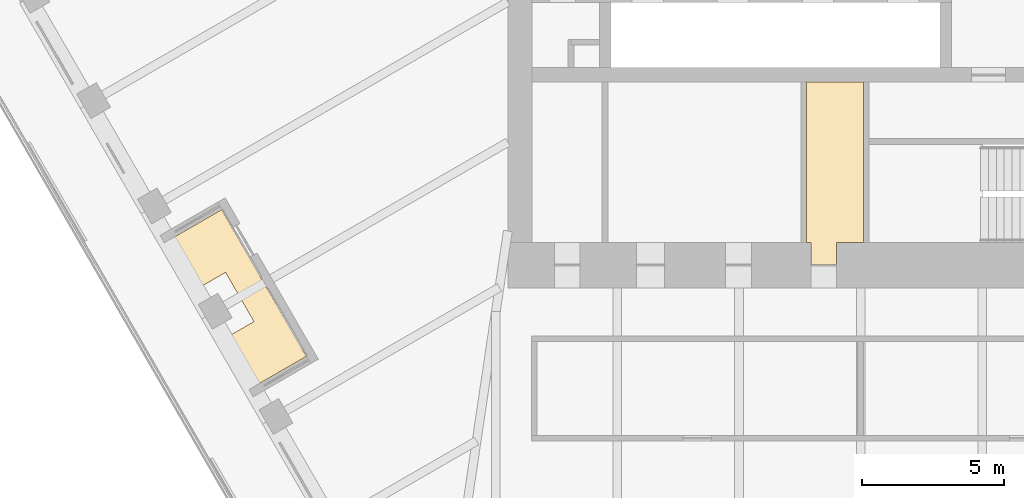
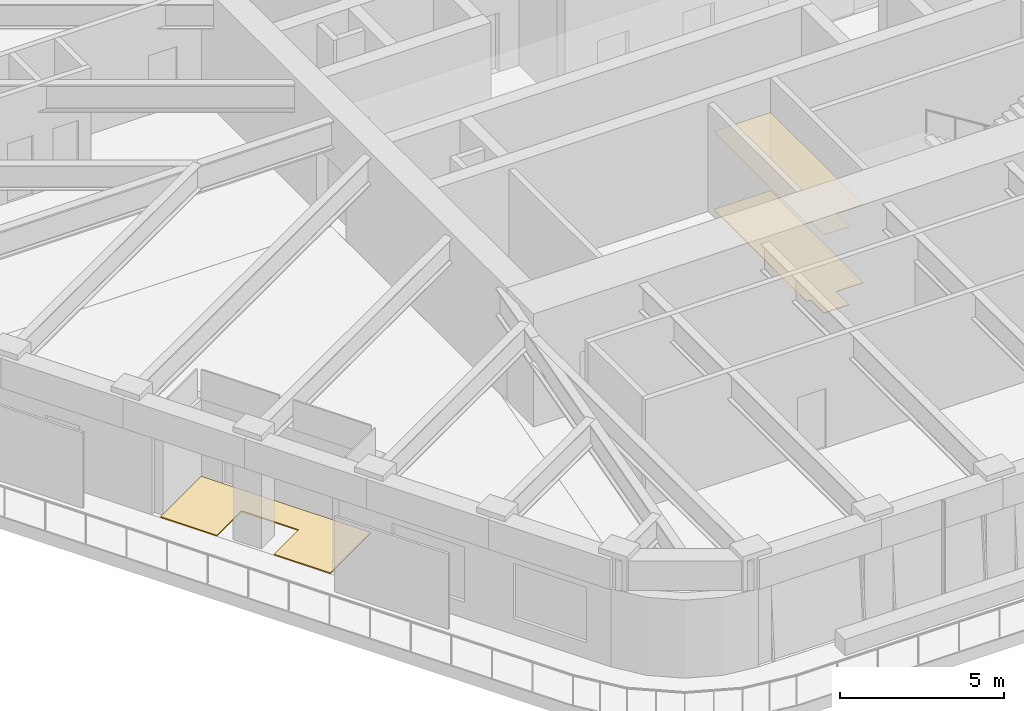
# One storey, part 17 of 19: 3 coverings.
"""IFC4 building model written with IfcOpenShell, lengths in metres."""

from ifc_helpers import new_model, si_unit, direction, frame, origin, place, context, subcontext, project, spatial, polyline, outline, extrude, material, layer, layer_set, type_object, element, save


model = new_model("IFC4")

# Units and contexts
model_context = context("Model", 3, precision=1e-05, world=origin(), true_north=direction((0.0, 1.0)))
body_context = subcontext(model_context, "Body", "Model", "MODEL_VIEW")
ifc_project = project(units=[si_unit("LENGTHUNIT", "METRE"), si_unit("AREAUNIT", "SQUARE_METRE"), si_unit("VOLUMEUNIT", "CUBIC_METRE"), si_unit("PLANEANGLEUNIT", "RADIAN"), si_unit("MASSUNIT", "GRAM", prefix="KILO")], contexts=[model_context])

# Site, building, storey
site_placement = place(None, origin())
site = spatial("IfcSite", under=ifc_project, at=site_placement, CompositionType="ELEMENT")
building_placement = place(site_placement, origin())
building = spatial("IfcBuilding", under=site, at=building_placement, Name="Tarfa Lantern Tower", CompositionType="ELEMENT")
storey_placement = place(building_placement, frame((0.0, 0.0, 345.10009765625)))
storey = spatial("IfcBuildingStorey", under=building, at=storey_placement, Name="L78", CompositionType="ELEMENT", Elevation=345.10009765625)

# Coverings
ifc_material_1 = material(Name="Moisture-resistant plasterboard", Category="finish")
ifc_layer_1 = layer(ifc_material_1, 0.014892578125)
ifc_layer_set_1 = layer_set([ifc_layer_1], Name="CL2 MOISTURE-RESISTANT PLASTERBOARD CEILING 15")
covering_type_1 = type_object("IfcCoveringType", Name="CL2 MOISTURE-RESISTANT PLASTERBOARD CEILING 15", PredefinedType="CEILING", material=ifc_layer_set_1)
covering_1_placement = place(storey_placement, frame((0.0, 0.0, 2.89990234375)))
element("IfcCovering", 1, at=covering_1_placement, inside=storey, type_object=covering_type_1, Name="Ceiling L78-13", PredefinedType="CEILING", context=body_context, shape_type="SweptSolid", body=[
    extrude(outline(polyline([(-0.85009765625, -10.699951171875), (0.10009765625, -10.699951171875), (0.10009765625, -5.050048828125), (-1.89990234375, -5.050048828125), (-1.89990234375, -10.699951171875), (-1.75, -10.699951171875), (-1.75, -11.5), (-1.75, -11.5), (-0.85009765625, -11.5), (-0.85009765625, -10.699951171875)])), origin(), (0.0, 0.0, 1.0), 0.014892578125),
])
ifc_material_2 = material(Name="Porcelain floor tile", Category="finish")
ifc_layer_2 = layer(ifc_material_2, 0.011962890625)
ifc_layer_set_2 = layer_set([ifc_layer_2], Name="FL3 CERAMIC TILE 12")
covering_type_2 = type_object("IfcCoveringType", Name="FL3 CERAMIC TILE 12", PredefinedType="FLOORING", material=ifc_layer_set_2)
covering_2_placement = place(storey_placement, origin())
element("IfcCovering", 2, at=covering_2_placement, inside=storey, type_object=covering_type_2, Name="Floor finish L78-13", PredefinedType="FLOORING", context=body_context, shape_type="SweptSolid", body=[
    extrude(outline(polyline([(-0.85009765625, -10.699951171875), (0.10009765625, -10.699951171875), (0.10009765625, -5.050048828125), (-1.89990234375, -5.050048828125), (-1.89990234375, -10.699951171875), (-1.75, -10.699951171875), (-1.75, -11.5), (-1.75, -11.5), (-0.85009765625, -11.5), (-0.85009765625, -10.699951171875)])), origin(), (0.0, 0.0, 1.0), 0.011962890625),
])
ifc_material_3 = material(Name="Porcelain pavers on pedestals", Category="ceramic")
ifc_layer_3 = layer(ifc_material_3, 0.0400390625)
ifc_layer_set_3 = layer_set([ifc_layer_3], Name="LP1 LOGGIA PAVING 40")
covering_type_3 = type_object("IfcCoveringType", Name="LP1 LOGGIA PAVING 40", PredefinedType="FLOORING", material=ifc_layer_set_3)
covering_3_placement = place(storey_placement, origin())
element("IfcCovering", 3, at=covering_3_placement, inside=storey, type_object=covering_type_3, Name="Terrace paving SW", PredefinedType="FLOORING", context=body_context, shape_type="SweptSolid", body=[
    extrude(outline(polyline([(-24.6572265625, -10.79248046875), (-22.509521484375, -9.552490234375), (-19.52734375, -14.717529296875), (-21.67529296875, -15.95751953125), (-22.666259765625, -14.240966796875), (-21.3671875, -13.490966796875), (-22.3671875, -11.759033203125), (-23.666259765625, -12.509033203125), (-24.6572265625, -10.79248046875)])), origin(), (0.0, 0.0, 1.0), 0.039794921875),
])

save(model, "model.ifc")
